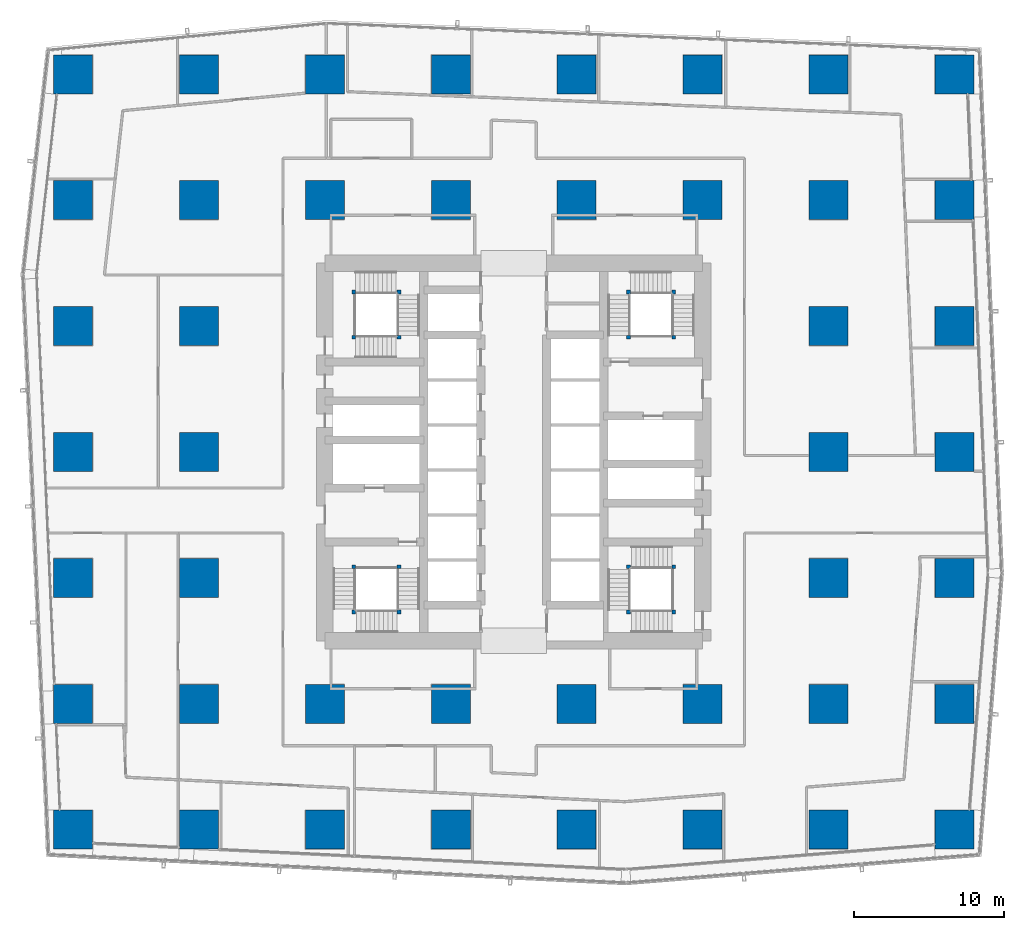
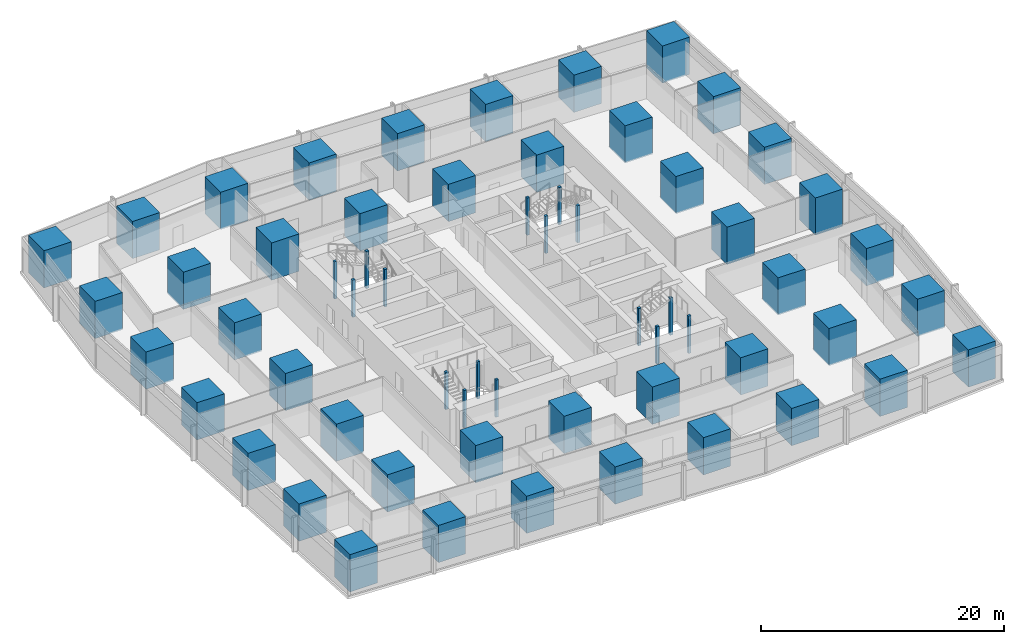
# One storey, part 1 of 46: 60 columns.
"""IFC4 building model written with IfcOpenShell, lengths in metres."""

import ifcopenshell
import ifcopenshell.guid

model = None  # the IFC model being written
_history = None  # IfcOwnerHistory: only IFC2X3 demands one
_inside = {}  # id of a spatial element -> (the spatial element, [elements in it])
_under = {}  # id of a project, library or spatial element -> (it, [spatial elements below it])
_declared = {}  # id of a project -> (the project, [libraries it declares])
_typed = {}  # id of a type object -> (the type object, [elements of that type])
_made_of = {}  # id of a material, layer set ... -> (it, [elements and type objects made of it])


def new_model(schema):
    """Start an empty IFC model of exactly this schema.

    Asked for "IFC4X3", IfcOpenShell would pick the latest addendum, in which some entities
    have other attributes; the version numbers below select the first issue.
    IFC2X3 requires an IfcOwnerHistory on every rooted entity: one is made here for all.
    """
    global model, _history
    if schema == "IFC4X3":
        model = ifcopenshell.file(schema_version=(4, 3, 0, 0))
    else:
        model = ifcopenshell.file(schema=schema)
    _inside.clear()
    _under.clear()
    _declared.clear()
    _typed.clear()
    _made_of.clear()
    _history = None
    if model.schema == "IFC2X3":
        org = make("IfcOrganization", Name="unknown")
        user = make(
            "IfcPersonAndOrganization",
            ThePerson=make("IfcPerson", FamilyName="unknown"),
            TheOrganization=org,
        )
        app = make(
            "IfcApplication",
            ApplicationDeveloper=org,
            Version="unknown",
            ApplicationFullName="unknown",
            ApplicationIdentifier="unknown",
        )
        _history = make(
            "IfcOwnerHistory",
            OwningUser=user,
            OwningApplication=app,
            ChangeAction="ADDED",
            CreationDate=0,
        )
    return model


def make(cls, **values):
    """One entity of the class cls with the attributes given. An attribute that is None is left unset."""
    return model.create_entity(
        cls, **{name: value for name, value in values.items() if value is not None}
    )


def rooted(cls, **values):
    """An entity with a GlobalId (a new one), such as an element, a storey or a relation."""
    return make(cls, GlobalId=ifcopenshell.guid.new(), OwnerHistory=_history, **values)


def si_unit(unit_type, name, prefix=None):
    """IfcSIUnit, for example si_unit("LENGTHUNIT", "METRE", prefix="MILLI")."""
    return make("IfcSIUnit", UnitType=unit_type, Prefix=prefix, Name=name)


def assignment(units):
    """IfcUnitAssignment: the units of a project."""
    return None if units is None else make("IfcUnitAssignment", Units=units)


def point(xyz):
    """IfcCartesianPoint."""
    return None if xyz is None else make("IfcCartesianPoint", Coordinates=xyz)


def direction(xyz):
    """IfcDirection."""
    return None if xyz is None else make("IfcDirection", DirectionRatios=xyz)


def frame(location, z_axis=None, x_axis=None):
    """IfcAxis2Placement3D, a coordinate frame: its origin and axes. An axis left out is left unset."""
    return make(
        "IfcAxis2Placement3D",
        Location=point(location),
        Axis=direction(z_axis),
        RefDirection=direction(x_axis),
    )


def frame_2d(location, x_axis=None):
    """IfcAxis2Placement2D, a coordinate frame in the plane: its origin and x axis."""
    return make(
        "IfcAxis2Placement2D", Location=point(location), RefDirection=direction(x_axis)
    )


def origin():
    """The frame at (0, 0, 0) with its axes left unset."""
    return frame((0.0, 0.0, 0.0))


def origin_2d():
    """The frame at (0, 0) in the plane with its x axis left unset."""
    return frame_2d((0.0, 0.0))


def place(relative_to, where):
    """IfcLocalPlacement: puts the frame where relative to a parent placement (None: the world)."""
    return make(
        "IfcLocalPlacement", PlacementRelTo=relative_to, RelativePlacement=where
    )


def context(
    kind, dimensions, precision=None, world=None, true_north=None, identifier=None
):
    """IfcGeometricRepresentationContext, for example the 3D "Model" context."""
    return make(
        "IfcGeometricRepresentationContext",
        ContextIdentifier=identifier,
        ContextType=kind,
        CoordinateSpaceDimension=dimensions,
        Precision=precision,
        WorldCoordinateSystem=world,
        TrueNorth=true_north,
    )


def subcontext(parent, identifier, kind, view, scale=None):
    """IfcGeometricRepresentationSubContext, for example "Body" below "Model"."""
    return make(
        "IfcGeometricRepresentationSubContext",
        ContextIdentifier=identifier,
        ContextType=kind,
        ParentContext=parent,
        TargetScale=scale,
        TargetView=view,
    )


def project(units=None, contexts=None):
    """IfcProject with its units and contexts."""
    return rooted(
        "IfcProject",
        Name="project",
        RepresentationContexts=contexts,
        UnitsInContext=assignment(units),
    )


def spatial(cls, under=None, at=None, **own):
    """A site, building, storey or space (cls), placed at a placement, below another one or the project."""
    s = rooted(cls, ObjectPlacement=at, **own)
    if under is not None:
        _under.setdefault(under.id(), (under, []))[1].append(s)
    return s


def profile(cls, at=None, kind="AREA", **sizes):
    """A parametric profile (cls). Its sizes go by their IFC names, for example OverallWidth=200.0."""
    return make(cls, ProfileType=kind, Position=at, **sizes)


def rectangle(**sizes):
    """IfcRectangleProfileDef."""
    return profile("IfcRectangleProfileDef", **sizes)


def extrude(swept, where, along, depth):
    """IfcExtrudedAreaSolid: the profile swept, set in the frame where, extruded along a direction by depth."""
    return make(
        "IfcExtrudedAreaSolid",
        SweptArea=swept,
        Position=where,
        ExtrudedDirection=direction(along),
        Depth=depth,
    )


def shape(context_of_items, identifier, shape_type, items):
    """IfcShapeRepresentation: the items that make up one representation, for example the "Body"."""
    return make(
        "IfcShapeRepresentation",
        ContextOfItems=context_of_items,
        RepresentationIdentifier=identifier,
        RepresentationType=shape_type,
        Items=items,
    )


def material(Name=None, Category=None):
    """IfcMaterial."""
    return make("IfcMaterial", Name=Name, Category=Category)


def material_profile(
    of_material, cross_section, Name=None, Category=None, Priority=None
):
    """IfcMaterialProfile: a cross section and its material."""
    return make(
        "IfcMaterialProfile",
        Name=Name,
        Material=of_material,
        Profile=cross_section,
        Priority=Priority,
        Category=Category,
    )


def profile_set(profiles, Name=None, composite=None):
    """IfcMaterialProfileSet."""
    return make(
        "IfcMaterialProfileSet",
        Name=Name,
        MaterialProfiles=profiles,
        CompositeProfile=composite,
    )


def made_of(thing, what):
    """Note that an element or type object is made of a material, layer set ...; save() writes the relation."""
    if what is not None:
        _made_of.setdefault(what.id(), (what, []))[1].append(thing)
    return thing


def type_object(cls, material=None, **own):
    """A type object (cls), such as IfcWallType, which elements share."""
    return made_of(rooted(cls, **own), material)


def element(
    cls,
    number,
    at=None,
    inside=None,
    cuts=None,
    type_object=None,
    material=None,
    context=None,
    identifier="Body",
    shape_type=None,
    held_by="IfcProductDefinitionShape",
    body=None,
    shapes=None,
    **own,
):
    """One element of the class cls, such as IfcWall. Its Tag is "e" and its number.

    at: its placement. inside: the storey or other place that contains it. cuts: it is an
    opening in that element (IfcRelVoidsElement). A single representation is given by context,
    identifier, shape_type and body (its items); several are given by shapes. held_by: the class
    of the entity that holds the representations. save() writes the other relations.
    """
    e = rooted(cls, Tag="e%d" % number, ObjectPlacement=at, **own)
    if body is not None:
        shapes = [shape(context, identifier, shape_type, body)]
    if shapes is not None:
        e.Representation = make(held_by, Representations=shapes)
    if inside is not None:
        _inside.setdefault(inside.id(), (inside, []))[1].append(e)
    if cuts is not None:
        rooted(
            "IfcRelVoidsElement", RelatingBuildingElement=cuts, RelatedOpeningElement=e
        )
    if type_object is not None:
        _typed.setdefault(type_object.id(), (type_object, []))[1].append(e)
    return made_of(e, material)


def aggregate(whole, parts):
    """IfcRelAggregates: a whole, such as a stair, and the parts it consists of."""
    return rooted("IfcRelAggregates", RelatingObject=whole, RelatedObjects=parts)


def save(model, path):
    """Write the relations noted so far, then the file.

    IfcRelAggregates (storeys below a building ...), IfcRelContainedInSpatialStructure (elements
    in a storey), IfcRelDefinesByType, IfcRelAssociatesMaterial and IfcRelDeclares: one each for
    every whole, place, type object, material and project.
    """
    for whole, parts in _under.values():
        aggregate(whole, parts)
    for where, things in _inside.values():
        rooted(
            "IfcRelContainedInSpatialStructure",
            RelatedElements=things,
            RelatingStructure=where,
        )
    for kind, things in _typed.values():
        rooted("IfcRelDefinesByType", RelatedObjects=things, RelatingType=kind)
    for what, things in _made_of.values():
        rooted("IfcRelAssociatesMaterial", RelatedObjects=things, RelatingMaterial=what)
    for by, libraries in _declared.values():
        rooted("IfcRelDeclares", RelatingContext=by, RelatedDefinitions=libraries)
    model.write(path)


model = new_model("IFC4")

# Units and contexts
model_context = context("Model", 3, precision=1e-05, world=origin(), true_north=direction((0.0, 1.0)))
body_context = subcontext(model_context, "Body", "Model", "MODEL_VIEW")
ifc_project = project(units=[si_unit("LENGTHUNIT", "METRE"), si_unit("AREAUNIT", "SQUARE_METRE"), si_unit("VOLUMEUNIT", "CUBIC_METRE"), si_unit("PLANEANGLEUNIT", "RADIAN"), si_unit("MASSUNIT", "GRAM", prefix="KILO")], contexts=[model_context])

# Site, building, storey
site_placement = place(None, origin())
site = spatial("IfcSite", under=ifc_project, at=site_placement, CompositionType="ELEMENT")
building_placement = place(site_placement, origin())
building = spatial("IfcBuilding", under=site, at=building_placement, Name="Rekha Terrace Tower", CompositionType="ELEMENT")
storey_placement = place(building_placement, frame((0.0, 0.0, 29.14990234375)))
storey = spatial("IfcBuildingStorey", under=building, at=storey_placement, Name="L06", CompositionType="ELEMENT", Elevation=29.14990234375)

# Columns
ifc_material_1 = material(Name="Concrete M70", Category="concrete")
ifc_material_profile_1 = material_profile(ifc_material_1, rectangle(XDim=2.60009765625, YDim=2.60009765625, at=origin_2d()), Name="RC 2600x2600")
ifc_profile_set_1 = profile_set([ifc_material_profile_1], Name="Concrete M70")
column_type_1 = type_object("IfcColumnType", Name="C2B 2600x2600 column", PredefinedType="COLUMN", material=ifc_profile_set_1)
for number, where, z_axis, x_axis, name in (
    (1, (8.39990234375, 8.39990234375, 0.0), (0.0, 0.0, 1.0), (1.0, 0.0, 0.0), "Column C2B 2/B L06"),
    (2, (8.39990234375, 16.800048828125, 0.0), (0.0, 0.0, 1.0), (1.0, 0.0, 0.0), "Column C2B 2/C L06"),
    (3, (8.39990234375, 25.199951171875, 0.0), (0.0, 0.0, 1.0), (1.0, 0.0, 0.0), "Column C2B 2/D L06"),
    (4, (8.39990234375, 33.60009765625, 0.0), (0.0, 0.0, 1.0), (1.0, 0.0, 0.0), "Column C2B 2/E L06"),
    (5, (8.39990234375, 42.0, 0.0), (0.0, 0.0, 1.0), (1.0, 0.0, 0.0), "Column C2B 2/F L06"),
    (6, (8.39990234375, 50.39990234375, 0.0), (0.0, 0.0, 1.0), (1.0, 0.0, 0.0), "Column C2B 2/G L06"),
    (7, (8.39990234375, 58.800048828125, 0.0), (0.0, 0.0, 1.0), (1.0, 0.0, 0.0), "Column C2B 2/H L06"),
    (8, (16.800048828125, 8.39990234375, 0.0), (0.0, 0.0, 1.0), (1.0, 0.0, 0.0), "Column C2B 3/B L06"),
    (9, (16.800048828125, 16.800048828125, 0.0), (0.0, 0.0, 1.0), (1.0, 0.0, 0.0), "Column C2B 3/C L06"),
    (10, (16.800048828125, 25.199951171875, 0.0), (0.0, 0.0, 1.0), (1.0, 0.0, 0.0), "Column C2B 3/D L06"),
    (11, (16.800048828125, 33.60009765625, 0.0), (0.0, 0.0, 1.0), (1.0, 0.0, 0.0), "Column C2B 3/E L06"),
    (12, (16.800048828125, 42.0, 0.0), (0.0, 0.0, 1.0), (1.0, 0.0, 0.0), "Column C2B 3/F L06"),
    (13, (16.800048828125, 50.39990234375, 0.0), (0.0, 0.0, 1.0), (1.0, 0.0, 0.0), "Column C2B 3/G L06"),
    (14, (16.800048828125, 58.800048828125, 0.0), (0.0, 0.0, 1.0), (1.0, 0.0, 0.0), "Column C2B 3/H L06"),
    (15, (25.199951171875, 8.39990234375, 0.0), (0.0, 0.0, 1.0), (1.0, 0.0, 0.0), "Column C2B 4/B L06"),
    (16, (25.199951171875, 16.800048828125, 0.0), (0.0, 0.0, 1.0), (1.0, 0.0, 0.0), "Column C2B 4/C L06"),
    (17, (25.199951171875, 50.39990234375, 0.0), (0.0, 0.0, 1.0), (1.0, 0.0, 0.0), "Column C2B 4/G L06"),
    (18, (25.199951171875, 58.800048828125, 0.0), (0.0, 0.0, 1.0), (1.0, 0.0, 0.0), "Column C2B 4/H L06"),
    (19, (33.60009765625, 8.39990234375, 0.0), (0.0, 0.0, 1.0), (1.0, 0.0, 0.0), "Column C2B 5/B L06"),
    (20, (33.60009765625, 16.800048828125, 0.0), (0.0, 0.0, 1.0), (1.0, 0.0, 0.0), "Column C2B 5/C L06"),
    (21, (33.60009765625, 50.39990234375, 0.0), (0.0, 0.0, 1.0), (1.0, 0.0, 0.0), "Column C2B 5/G L06"),
    (22, (33.60009765625, 58.800048828125, 0.0), (0.0, 0.0, 1.0), (1.0, 0.0, 0.0), "Column C2B 5/H L06"),
    (23, (42.0, 8.39990234375, 0.0), (0.0, 0.0, 1.0), (1.0, 0.0, 0.0), "Column C2B 6/B L06"),
    (24, (42.0, 16.800048828125, 0.0), (0.0, 0.0, 1.0), (1.0, 0.0, 0.0), "Column C2B 6/C L06"),
    (25, (42.0, 50.39990234375, 0.0), (0.0, 0.0, 1.0), (1.0, 0.0, 0.0), "Column C2B 6/G L06"),
    (26, (42.0, 58.800048828125, 0.0), (0.0, 0.0, 1.0), (1.0, 0.0, 0.0), "Column C2B 6/H L06"),
    (27, (50.39990234375, 8.39990234375, 0.0), (0.0, 0.0, 1.0), (1.0, 0.0, 0.0), "Column C2B 7/B L06"),
    (28, (50.39990234375, 16.800048828125, 0.0), (0.0, 0.0, 1.0), (1.0, 0.0, 0.0), "Column C2B 7/C L06"),
    (29, (50.39990234375, 50.39990234375, 0.0), (0.0, 0.0, 1.0), (1.0, 0.0, 0.0), "Column C2B 7/G L06"),
    (30, (50.39990234375, 58.800048828125, 0.0), (0.0, 0.0, 1.0), (1.0, 0.0, 0.0), "Column C2B 7/H L06"),
    (31, (58.800048828125, 8.39990234375, 0.0), (0.0, 0.0, 1.0), (1.0, 0.0, 0.0), "Column C2B 8/B L06"),
    (32, (58.800048828125, 16.800048828125, 0.0), (0.0, 0.0, 1.0), (1.0, 0.0, 0.0), "Column C2B 8/C L06"),
    (33, (58.800048828125, 25.199951171875, 0.0), (0.0, 0.0, 1.0), (1.0, 0.0, 0.0), "Column C2B 8/D L06"),
    (34, (58.800048828125, 33.60009765625, 0.0), (0.0, 0.0, 1.0), (1.0, 0.0, 0.0), "Column C2B 8/E L06"),
    (35, (58.800048828125, 42.0, 0.0), (0.0, 0.0, 1.0), (1.0, 0.0, 0.0), "Column C2B 8/F L06"),
    (36, (58.800048828125, 50.39990234375, 0.0), (0.0, 0.0, 1.0), (1.0, 0.0, 0.0), "Column C2B 8/G L06"),
    (37, (58.800048828125, 58.800048828125, 0.0), (0.0, 0.0, 1.0), (1.0, 0.0, 0.0), "Column C2B 8/H L06"),
    (38, (67.199951171875, 8.39990234375, 0.0), (0.0, 0.0, 1.0), (1.0, 0.0, 0.0), "Column C2B 9/B L06"),
    (39, (67.199951171875, 16.800048828125, 0.0), (0.0, 0.0, 1.0), (1.0, 0.0, 0.0), "Column C2B 9/C L06"),
    (40, (67.199951171875, 25.199951171875, 0.0), (0.0, 0.0, 1.0), (1.0, 0.0, 0.0), "Column C2B 9/D L06"),
    (41, (67.199951171875, 33.60009765625, 0.0), (0.0, 0.0, 1.0), (1.0, 0.0, 0.0), "Column C2B 9/E L06"),
    (42, (67.199951171875, 42.0, 0.0), (0.0, 0.0, 1.0), (1.0, 0.0, 0.0), "Column C2B 9/F L06"),
    (43, (67.199951171875, 50.39990234375, 0.0), (0.0, 0.0, 1.0), (1.0, 0.0, 0.0), "Column C2B 9/G L06"),
    (44, (67.199951171875, 58.800048828125, 0.0), (0.0, 0.0, 1.0), (1.0, 0.0, 0.0), "Column C2B 9/H L06"),
):
    element("IfcColumn", number, at=place(storey_placement, frame(where, z_axis=z_axis, x_axis=x_axis)), inside=storey, type_object=column_type_1, Name=name, PredefinedType="COLUMN", context=body_context, shape_type="SweptSolid", body=[
        extrude(rectangle(XDim=2.60009765625, YDim=2.60009765625, at=origin_2d()), origin(), (0.0, 0.0, 1.0), 3.75),
    ])
ifc_material_2 = material(Name="Concrete M60", Category="concrete")
ifc_material_profile_2 = material_profile(ifc_material_2, rectangle(XDim=0.25, YDim=0.25, at=origin_2d()), Name="RC 250x250")
ifc_profile_set_2 = profile_set([ifc_material_profile_2], Name="Concrete M60")
column_type_2 = type_object("IfcColumnType", Name="NP1 250x250 stair newel post", PredefinedType="COLUMN", material=ifc_profile_set_2)
for number, where, z_axis, x_axis, name in (
    (45, (30.14990234375, 25.949951171875, 0.0), (0.0, 0.0, 1.0), (1.0, 0.0, 0.0), "Stair newel post NP1"),
    (46, (30.14990234375, 22.925048828125, 0.0), (0.0, 0.0, 1.0), (1.0, 0.0, 0.0), "Stair newel post NP1"),
    (47, (27.125, 22.925048828125, 0.0), (0.0, 0.0, 1.0), (1.0, 0.0, 0.0), "Stair newel post NP1"),
    (48, (27.125, 25.949951171875, 0.0), (0.0, 0.0, 1.0), (1.0, 0.0, 0.0), "Stair newel post NP1"),
    (49, (45.449951171875, 41.25, 0.0), (0.0, 0.0, 1.0), (1.0, 0.0, 0.0), "Stair newel post NP1"),
    (50, (45.449951171875, 44.27490234375, 0.0), (0.0, 0.0, 1.0), (1.0, 0.0, 0.0), "Stair newel post NP1"),
    (51, (48.47509765625, 44.27490234375, 0.0), (0.0, 0.0, 1.0), (1.0, 0.0, 0.0), "Stair newel post NP1"),
    (52, (48.47509765625, 41.25, 0.0), (0.0, 0.0, 1.0), (1.0, 0.0, 0.0), "Stair newel post NP1"),
    (53, (48.47509765625, 22.925048828125, 0.0), (0.0, 0.0, 1.0), (1.0, 0.0, 0.0), "Stair newel post NP1"),
    (54, (45.449951171875, 22.925048828125, 0.0), (0.0, 0.0, 1.0), (1.0, 0.0, 0.0), "Stair newel post NP1"),
    (55, (45.449951171875, 25.949951171875, 0.0), (0.0, 0.0, 1.0), (1.0, 0.0, 0.0), "Stair newel post NP1"),
    (56, (48.47509765625, 25.949951171875, 0.0), (0.0, 0.0, 1.0), (1.0, 0.0, 0.0), "Stair newel post NP1"),
    (57, (27.125, 41.25, 0.0), (0.0, 0.0, 1.0), (1.0, 0.0, 0.0), "Stair newel post NP1"),
    (58, (30.14990234375, 41.25, 0.0), (0.0, 0.0, 1.0), (1.0, 0.0, 0.0), "Stair newel post NP1"),
    (59, (30.14990234375, 44.27490234375, 0.0), (0.0, 0.0, 1.0), (1.0, 0.0, 0.0), "Stair newel post NP1"),
    (60, (27.125, 44.27490234375, 0.0), (0.0, 0.0, 1.0), (1.0, 0.0, 0.0), "Stair newel post NP1"),
):
    element("IfcColumn", number, at=place(storey_placement, frame(where, z_axis=z_axis, x_axis=x_axis)), inside=storey, type_object=column_type_2, Name=name, PredefinedType="COLUMN", context=body_context, shape_type="SweptSolid", body=[
        extrude(rectangle(XDim=0.25, YDim=0.25, at=origin_2d()), origin(), (0.0, 0.0, 1.0), 3.75),
    ])

save(model, "model.ifc")
